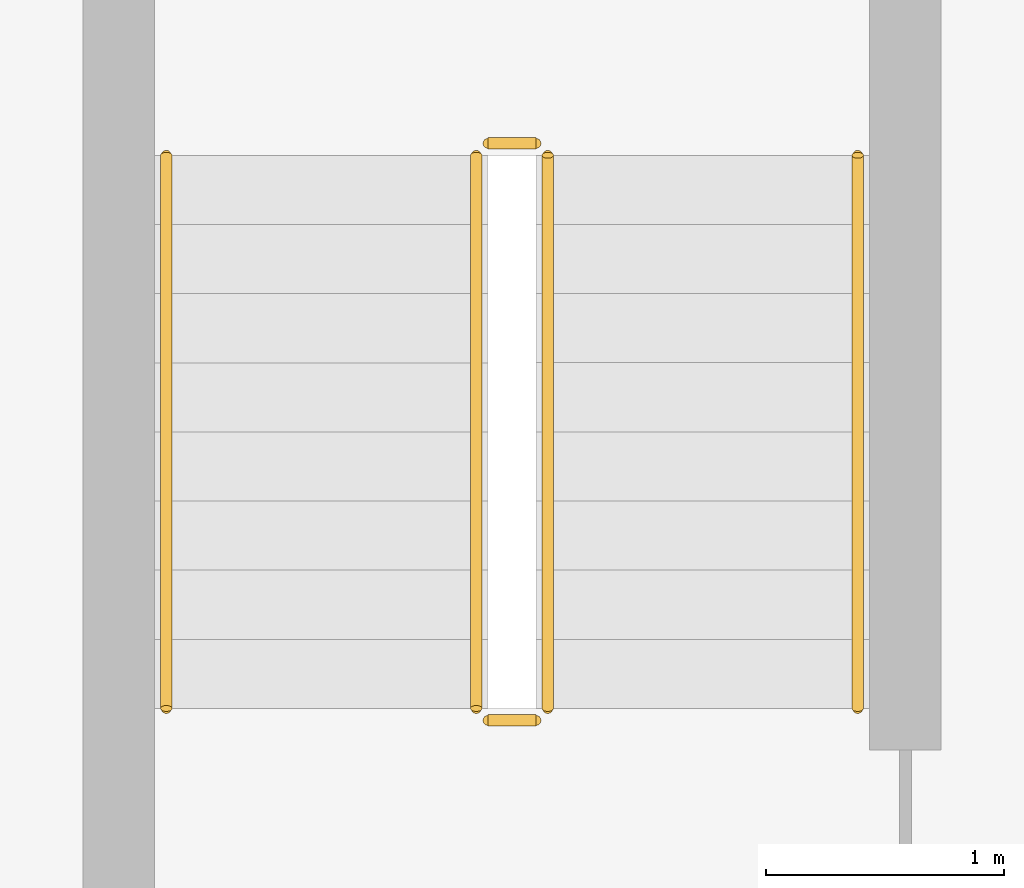
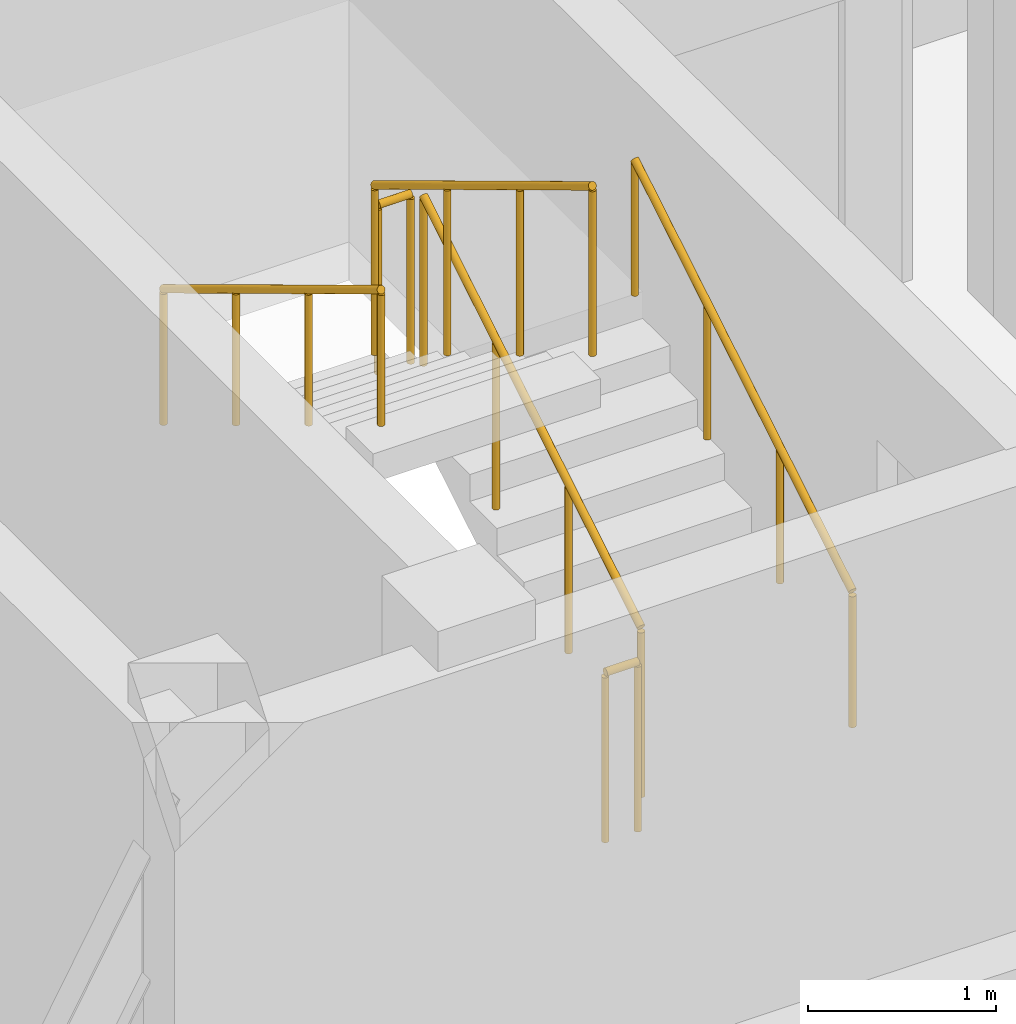
# One storey, part 28 of 34: 6 railings.
"""IFC4 building model written with IfcOpenShell, lengths in metres."""

from ifc_helpers import new_model, si_unit, derived_unit, direction, frame, origin, origin_2d, place, context, subcontext, project, spatial, circle, extrude, material, type_object, element, save


model = new_model("IFC4")

# Units and contexts
model_context = context("Model", 3, precision=1e-05, world=origin(), true_north=direction((0.0, 1.0)))
body_context = subcontext(model_context, "Body", "Model", "MODEL_VIEW")
ifc_project = project(units=[si_unit("LENGTHUNIT", "METRE"), si_unit("AREAUNIT", "SQUARE_METRE"), si_unit("VOLUMEUNIT", "CUBIC_METRE"), si_unit("PLANEANGLEUNIT", "RADIAN"), si_unit("MASSUNIT", "GRAM", prefix="KILO"), derived_unit("THERMALTRANSMITTANCEUNIT", [(si_unit("MASSUNIT", "GRAM", prefix="KILO"), 1), (si_unit("TIMEUNIT", "SECOND"), -3), (si_unit("THERMODYNAMICTEMPERATUREUNIT", "KELVIN"), -1)])], contexts=[model_context])

# Site, building, storey
site_placement = place(None, origin())
site = spatial("IfcSite", under=ifc_project, at=site_placement, CompositionType="ELEMENT")
building_placement = place(site_placement, origin())
building = spatial("IfcBuilding", under=site, at=building_placement, Name="Ochrekiln Boulevard Commons", CompositionType="ELEMENT")
storey_placement = place(building_placement, frame((0.0, 0.0, 27.824951171875)))
storey = spatial("IfcBuildingStorey", under=building, at=storey_placement, Name="L08", CompositionType="ELEMENT", Elevation=27.824951171875)

# Railings
ifc_material = material(Name="Brushed stainless steel 316 tubular railing", Category="steel")
railing_type_1 = type_object("IfcRailingType", Name="RLG-HDR-900", PredefinedType="HANDRAIL", material=ifc_material)
railing_1_placement = place(storey_placement, frame((159.449951171875, 1.8701171875, 0.175048828125)))
element("IfcRailing", 1, at=railing_1_placement, inside=storey, type_object=railing_type_1, Name="L08 ST-C1 stair handrail 1", PredefinedType="HANDRAIL", context=body_context, shape_type="SweptSolid", body=[
    extrude(circle(Radius=0.02392578125, at=origin_2d()), frame((0.0, 0.0, 0.8759765625), z_axis=(0.0, 0.856186286599, 0.516667245565), x_axis=(-1.0, 0.0, 0.0)), (0.0, 0.0, 1.0), 2.70947265625),
    extrude(circle(Radius=0.02099609375, at=origin_2d()), origin(), (0.0, 0.0, 1.0), 0.851806640625),
    extrude(circle(Radius=0.02099609375, at=origin_2d()), frame((0.0, 0.773193359375, 0.466552734375)), (0.0, 0.0, 1.0), 0.851806640625),
    extrude(circle(Radius=0.02099609375, at=origin_2d()), frame((0.0, 1.546630859375, 0.933349609375)), (0.0, 0.0, 1.0), 0.851806640625),
    extrude(circle(Radius=0.02099609375, at=origin_2d()), frame((0.0, 2.31982421875, 1.39990234375)), (0.0, 0.0, 1.0), 0.851806640625),
])
railing_2_placement = place(storey_placement, frame((156.550048828125, 4.18994140625, 1.75)))
element("IfcRailing", 2, at=railing_2_placement, inside=storey, type_object=railing_type_1, Name="L08 ST-C1 stair handrail 2", PredefinedType="HANDRAIL", context=body_context, shape_type="SweptSolid", body=[
    extrude(circle(Radius=0.02392578125, at=origin_2d()), frame((0.0, 0.0, 0.8759765625), z_axis=(0.0, -0.856146426353, 0.516733293531), x_axis=(1.0, 0.0, 0.0)), (0.0, 0.0, 1.0), 2.709716796875),
    extrude(circle(Radius=0.02099609375, at=origin_2d()), origin(), (0.0, 0.0, 1.0), 0.851806640625),
    extrude(circle(Radius=0.02099609375, at=origin_2d()), frame((0.0, -0.773193359375, 0.466796875)), (0.0, 0.0, 1.0), 0.851806640625),
    extrude(circle(Radius=0.02099609375, at=origin_2d()), frame((0.0, -1.546630859375, 0.933349609375)), (0.0, 0.0, 1.0), 0.851806640625),
    extrude(circle(Radius=0.02099609375, at=origin_2d()), frame((0.0, -2.31982421875, 1.400146484375)), (0.0, 0.0, 1.0), 0.851806640625),
])
railing_type_2 = type_object("IfcRailingType", Name="RLG-STR-1120", PredefinedType="BALUSTRADE", material=ifc_material)
railing_3_placement = place(storey_placement, frame((158.14990234375, 1.8701171875, 0.175048828125)))
element("IfcRailing", 3, at=railing_3_placement, inside=storey, type_object=railing_type_2, Name="L08 ST-C1 stair guard 1", PredefinedType="BALUSTRADE", context=body_context, shape_type="SweptSolid", body=[
    extrude(circle(Radius=0.02392578125, at=origin_2d()), frame((0.0, 0.0, 1.09619140625), z_axis=(0.0, 0.856186286599, 0.516667245565), x_axis=(-1.0, 0.0, 0.0)), (0.0, 0.0, 1.0), 2.70947265625),
    extrude(circle(Radius=0.02099609375, at=origin_2d()), origin(), (0.0, 0.0, 1.0), 1.072021484375),
    extrude(circle(Radius=0.02099609375, at=origin_2d()), frame((0.0, 0.773193359375, 0.466552734375)), (0.0, 0.0, 1.0), 1.072021484375),
    extrude(circle(Radius=0.02099609375, at=origin_2d()), frame((0.0, 1.546630859375, 0.933349609375)), (0.0, 0.0, 1.0), 1.072021484375),
    extrude(circle(Radius=0.02099609375, at=origin_2d()), frame((0.0, 2.31982421875, 1.39990234375)), (0.0, 0.0, 1.0), 1.072021484375),
])
railing_4_placement = place(storey_placement, frame((158.10009765625, 4.239990234375, 1.574951171875)))
element("IfcRailing", 4, at=railing_4_placement, inside=storey, type_object=railing_type_2, Name="L08 ST-C1 stair guard 2", PredefinedType="BALUSTRADE", context=body_context, shape_type="SweptSolid", body=[
    extrude(circle(Radius=0.02392578125, at=origin_2d()), frame((0.0, 0.0, 1.09619140625), z_axis=(-1.0, 0.0, 0.0), x_axis=(0.0, -1.0, 0.0)), (0.0, 0.0, 1.0), 0.2001953125),
    extrude(circle(Radius=0.02099609375, at=origin_2d()), origin(), (0.0, 0.0, 1.0), 1.072021484375),
    extrude(circle(Radius=0.02099609375, at=origin_2d()), frame((-0.2001953125, 0.0, 0.0)), (0.0, 0.0, 1.0), 1.072021484375),
])
railing_5_placement = place(storey_placement, frame((157.85009765625, 4.18994140625, 1.75)))
element("IfcRailing", 5, at=railing_5_placement, inside=storey, type_object=railing_type_2, Name="L08 ST-C1 stair guard 3", PredefinedType="BALUSTRADE", context=body_context, shape_type="SweptSolid", body=[
    extrude(circle(Radius=0.02392578125, at=origin_2d()), frame((0.0, 0.0, 1.09619140625), z_axis=(0.0, -0.856146426353, 0.516733293531), x_axis=(1.0, 0.0, 0.0)), (0.0, 0.0, 1.0), 2.709716796875),
    extrude(circle(Radius=0.02099609375, at=origin_2d()), origin(), (0.0, 0.0, 1.0), 1.072021484375),
    extrude(circle(Radius=0.02099609375, at=origin_2d()), frame((0.0, -0.773193359375, 0.466796875)), (0.0, 0.0, 1.0), 1.072021484375),
    extrude(circle(Radius=0.02099609375, at=origin_2d()), frame((0.0, -1.546630859375, 0.933349609375)), (0.0, 0.0, 1.0), 1.072021484375),
    extrude(circle(Radius=0.02099609375, at=origin_2d()), frame((0.0, -2.31982421875, 1.400146484375)), (0.0, 0.0, 1.0), 1.072021484375),
])
railing_6_placement = place(storey_placement, frame((158.10009765625, 1.820068359375, 0.0)))
element("IfcRailing", 6, at=railing_6_placement, inside=storey, type_object=railing_type_2, Name="L08 ST-C1 stair guard 4", PredefinedType="BALUSTRADE", context=body_context, shape_type="SweptSolid", body=[
    extrude(circle(Radius=0.02392578125, at=origin_2d()), frame((0.0, 0.0, 1.09619140625), z_axis=(-1.0, 0.0, 0.0), x_axis=(0.0, -1.0, 0.0)), (0.0, 0.0, 1.0), 0.2001953125),
    extrude(circle(Radius=0.02099609375, at=origin_2d()), origin(), (0.0, 0.0, 1.0), 1.072021484375),
    extrude(circle(Radius=0.02099609375, at=origin_2d()), frame((-0.2001953125, 0.0, 0.0)), (0.0, 0.0, 1.0), 1.072021484375),
])

save(model, "model.ifc")
